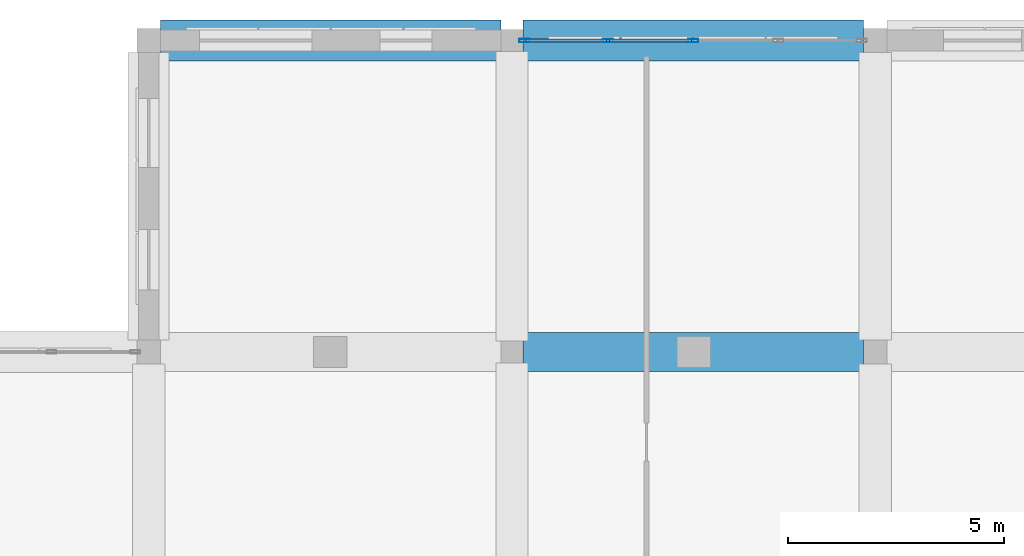
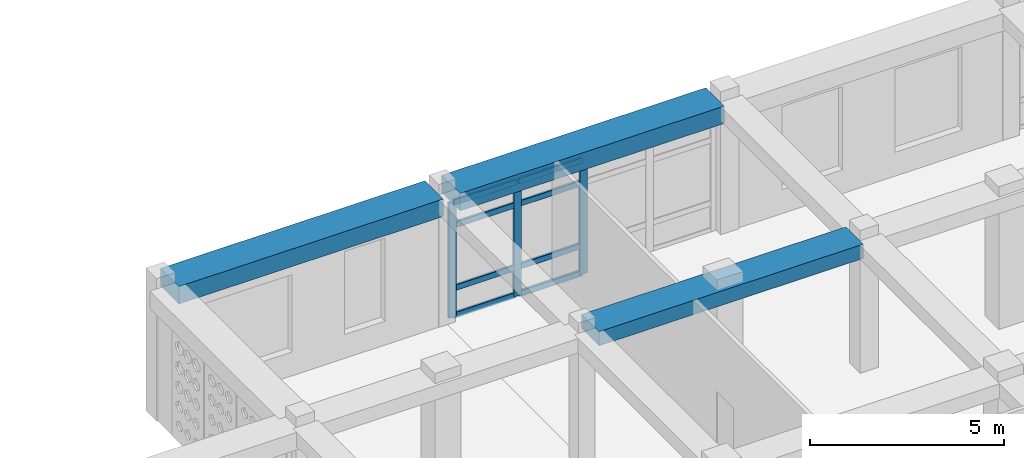
# One storey, part 44 of 121: 11 members, 3 beams, 1 element without a shape of its own.
"""IFC4 building model written with IfcOpenShell, lengths in metres."""

from ifc_helpers import new_model, si_unit, derived_unit, direction, frame, origin, origin_2d, place, context, subcontext, project, spatial, rectangle, hollow_rectangle, extrude, material, material_profile, profile_set, type_object, element, aggregate, save


model = new_model("IFC4")

# Units and contexts
model_context = context("Model", 3, precision=1e-05, world=origin(), true_north=direction((0.0, 1.0)))
body_context = subcontext(model_context, "Body", "Model", "MODEL_VIEW")
ifc_project = project(units=[si_unit("LENGTHUNIT", "METRE"), si_unit("AREAUNIT", "SQUARE_METRE"), si_unit("VOLUMEUNIT", "CUBIC_METRE"), si_unit("PLANEANGLEUNIT", "RADIAN"), si_unit("MASSUNIT", "GRAM", prefix="KILO"), derived_unit("THERMALTRANSMITTANCEUNIT", [(si_unit("POWERUNIT", "WATT"), 1), (si_unit("LENGTHUNIT", "METRE"), -2), (si_unit("THERMODYNAMICTEMPERATUREUNIT", "KELVIN"), -1)])], contexts=[model_context])

# Site, building, storey
site_placement = place(None, origin())
site = spatial("IfcSite", under=ifc_project, at=site_placement, CompositionType="ELEMENT")
building_placement = place(site_placement, origin())
building = spatial("IfcBuilding", under=site, at=building_placement, Name="Veybourne Emporium", CompositionType="ELEMENT")
storey_placement = place(building_placement, frame((0.0, 0.0, 5.39990234375)))
storey = spatial("IfcBuildingStorey", under=building, at=storey_placement, Name="L01", CompositionType="ELEMENT", Elevation=5.39990234375)

# Curtain wall, members
ifc_material_1 = material(Name="Patinated Architectural Bronze", Category="bronze")
curtain_wall_type = type_object("IfcCurtainWallType", Name="CWSystem_CWS-11", PredefinedType="NOTDEFINED", material=ifc_material_1)
curtain_wall_placement = place(storey_placement, origin())
curtain_wall = element("IfcCurtainWall", 1, at=curtain_wall_placement, inside=storey, type_object=curtain_wall_type, Name="L01 bronze glazed curtain wall CWS-11 (036)", PredefinedType="NOTDEFINED")
ifc_material_profile_1 = material_profile(ifc_material_1, hollow_rectangle(XDim=0.077880859375, YDim=0.235107421875, WallThickness=0.0048828125, InnerFilletRadius=0.007568359375, OuterFilletRadius=0.012451171875, at=origin_2d()), Name="CWM 78x235x5")
ifc_profile_set_1 = profile_set([ifc_material_profile_1], Name="Patinated Architectural Bronze")
member_type_1 = type_object("IfcMemberType", Name="CWMullion_CW-M3", PredefinedType="MULLION", material=ifc_profile_set_1)
member_1_placement = place(storey_placement, frame((59.089111328125, 115.199951171875, 0.0), z_axis=(0.0, 0.0, 1.0), x_axis=(0.0, 1.0, 0.0)))
member_1 = element("IfcMember", 2, at=member_1_placement, type_object=member_type_1, Name="CWS-11 mullion 1", PredefinedType="MULLION", context=body_context, shape_type="SweptSolid", body=[
    extrude(hollow_rectangle(XDim=0.077880859375, YDim=0.235107421875, WallThickness=0.0048828125, InnerFilletRadius=0.007568359375, OuterFilletRadius=0.012451171875, at=origin_2d()), origin(), (0.0, 0.0, 1.0), 3.630126953125),
])
member_2_placement = place(storey_placement, frame((61.018798828125, 115.199951171875, 0.0), z_axis=(0.0, 0.0, 1.0), x_axis=(0.0, 1.0, 0.0)))
member_2 = element("IfcMember", 3, at=member_2_placement, type_object=member_type_1, Name="CWS-11 mullion 2", PredefinedType="MULLION", context=body_context, shape_type="SweptSolid", body=[
    extrude(hollow_rectangle(XDim=0.077880859375, YDim=0.235107421875, WallThickness=0.0048828125, InnerFilletRadius=0.007568359375, OuterFilletRadius=0.012451171875, at=origin_2d()), origin(), (0.0, 0.0, 1.0), 3.630126953125),
])
member_3_placement = place(storey_placement, frame((62.987548828125, 115.199951171875, 0.0), z_axis=(0.0, 0.0, 1.0), x_axis=(0.0, 1.0, 0.0)))
member_3 = element("IfcMember", 4, at=member_3_placement, type_object=member_type_1, Name="CWS-11 mullion 3", PredefinedType="MULLION", context=body_context, shape_type="SweptSolid", body=[
    extrude(hollow_rectangle(XDim=0.077880859375, YDim=0.235107421875, WallThickness=0.0048828125, InnerFilletRadius=0.007568359375, OuterFilletRadius=0.012451171875, at=origin_2d()), origin(), (0.0, 0.0, 1.0), 3.630126953125),
])
ifc_material_profile_2 = material_profile(ifc_material_1, hollow_rectangle(XDim=0.077880859375, YDim=0.18505859375, WallThickness=0.0048828125, InnerFilletRadius=0.007568359375, OuterFilletRadius=0.012451171875, at=origin_2d()), Name="CWT 78x185x5")
ifc_profile_set_2 = profile_set([ifc_material_profile_2], Name="Patinated Architectural Bronze")
member_type_2 = type_object("IfcMemberType", Name="CWTransom_CW-T3", PredefinedType="NOTDEFINED", material=ifc_profile_set_2)
member_4_placement = place(storey_placement, frame((59.1279296875, 115.199951171875, 0.0390625), z_axis=(1.0, 0.0, 0.0), x_axis=(0.0, 1.0, 0.0)))
member_4 = element("IfcMember", 5, at=member_4_placement, type_object=member_type_2, Name="CWS-11 transom 1.1", ObjectType="TRANSOM", PredefinedType="USERDEFINED", context=body_context, shape_type="SweptSolid", body=[
    extrude(hollow_rectangle(XDim=0.077880859375, YDim=0.18505859375, WallThickness=0.0048828125, InnerFilletRadius=0.007568359375, OuterFilletRadius=0.012451171875, at=origin_2d()), origin(), (0.0, 0.0, 1.0), 1.851806640625),
])
member_5_placement = place(storey_placement, frame((59.1279296875, 115.199951171875, 0.900146484375), z_axis=(1.0, 0.0, 0.0), x_axis=(0.0, 1.0, 0.0)))
member_5 = element("IfcMember", 6, at=member_5_placement, type_object=member_type_2, Name="CWS-11 transom 1.2", ObjectType="TRANSOM", PredefinedType="USERDEFINED", context=body_context, shape_type="SweptSolid", body=[
    extrude(hollow_rectangle(XDim=0.077880859375, YDim=0.18505859375, WallThickness=0.0048828125, InnerFilletRadius=0.007568359375, OuterFilletRadius=0.012451171875, at=origin_2d()), origin(), (0.0, 0.0, 1.0), 1.851806640625),
])
member_6_placement = place(storey_placement, frame((59.1279296875, 115.199951171875, 2.880126953125), z_axis=(1.0, 0.0, 0.0), x_axis=(0.0, 1.0, 0.0)))
member_6 = element("IfcMember", 7, at=member_6_placement, type_object=member_type_2, Name="CWS-11 transom 1.3", ObjectType="TRANSOM", PredefinedType="USERDEFINED", context=body_context, shape_type="SweptSolid", body=[
    extrude(hollow_rectangle(XDim=0.077880859375, YDim=0.18505859375, WallThickness=0.0048828125, InnerFilletRadius=0.007568359375, OuterFilletRadius=0.012451171875, at=origin_2d()), origin(), (0.0, 0.0, 1.0), 1.851806640625),
])
member_7_placement = place(storey_placement, frame((59.1279296875, 115.199951171875, 3.591064453125), z_axis=(1.0, 0.0, 0.0), x_axis=(0.0, 1.0, 0.0)))
member_7 = element("IfcMember", 8, at=member_7_placement, type_object=member_type_2, Name="CWS-11 transom 1.4", ObjectType="TRANSOM", PredefinedType="USERDEFINED", context=body_context, shape_type="SweptSolid", body=[
    extrude(hollow_rectangle(XDim=0.077880859375, YDim=0.18505859375, WallThickness=0.0048828125, InnerFilletRadius=0.007568359375, OuterFilletRadius=0.012451171875, at=origin_2d()), origin(), (0.0, 0.0, 1.0), 1.851806640625),
])
member_8_placement = place(storey_placement, frame((61.057861328125, 115.199951171875, 0.0390625), z_axis=(1.0, 0.0, 0.0), x_axis=(0.0, 1.0, 0.0)))
member_8 = element("IfcMember", 9, at=member_8_placement, type_object=member_type_2, Name="CWS-11 transom 2.1", ObjectType="TRANSOM", PredefinedType="USERDEFINED", context=body_context, shape_type="SweptSolid", body=[
    extrude(hollow_rectangle(XDim=0.077880859375, YDim=0.18505859375, WallThickness=0.0048828125, InnerFilletRadius=0.007568359375, OuterFilletRadius=0.012451171875, at=origin_2d()), origin(), (0.0, 0.0, 1.0), 1.890625),
])
member_9_placement = place(storey_placement, frame((61.057861328125, 115.199951171875, 0.900146484375), z_axis=(1.0, 0.0, 0.0), x_axis=(0.0, 1.0, 0.0)))
member_9 = element("IfcMember", 10, at=member_9_placement, type_object=member_type_2, Name="CWS-11 transom 2.2", ObjectType="TRANSOM", PredefinedType="USERDEFINED", context=body_context, shape_type="SweptSolid", body=[
    extrude(hollow_rectangle(XDim=0.077880859375, YDim=0.18505859375, WallThickness=0.0048828125, InnerFilletRadius=0.007568359375, OuterFilletRadius=0.012451171875, at=origin_2d()), origin(), (0.0, 0.0, 1.0), 1.890625),
])
member_10_placement = place(storey_placement, frame((61.057861328125, 115.199951171875, 2.880126953125), z_axis=(1.0, 0.0, 0.0), x_axis=(0.0, 1.0, 0.0)))
member_10 = element("IfcMember", 11, at=member_10_placement, type_object=member_type_2, Name="CWS-11 transom 2.3", ObjectType="TRANSOM", PredefinedType="USERDEFINED", context=body_context, shape_type="SweptSolid", body=[
    extrude(hollow_rectangle(XDim=0.077880859375, YDim=0.18505859375, WallThickness=0.0048828125, InnerFilletRadius=0.007568359375, OuterFilletRadius=0.012451171875, at=origin_2d()), origin(), (0.0, 0.0, 1.0), 1.890625),
])
member_11_placement = place(storey_placement, frame((61.057861328125, 115.199951171875, 3.591064453125), z_axis=(1.0, 0.0, 0.0), x_axis=(0.0, 1.0, 0.0)))
member_11 = element("IfcMember", 12, at=member_11_placement, type_object=member_type_2, Name="CWS-11 transom 2.4", ObjectType="TRANSOM", PredefinedType="USERDEFINED", context=body_context, shape_type="SweptSolid", body=[
    extrude(hollow_rectangle(XDim=0.077880859375, YDim=0.18505859375, WallThickness=0.0048828125, InnerFilletRadius=0.007568359375, OuterFilletRadius=0.012451171875, at=origin_2d()), origin(), (0.0, 0.0, 1.0), 1.890625),
])
aggregate(curtain_wall, [member_1, member_2, member_3, member_4, member_5, member_6, member_7, member_8, member_9, member_10, member_11])

# Beams
ifc_material_2 = material(Name="Concrete C32/40", Category="concrete")
ifc_material_profile_3 = material_profile(ifc_material_2, rectangle(XDim=0.89990234375, YDim=0.449951171875, at=origin_2d()), Name="RC 900x450")
ifc_profile_set_3 = profile_set([ifc_material_profile_3], Name="Concrete C32/40")
beam_type_1 = type_object("IfcBeamType", Name="RCBeam_BB-03", PredefinedType="BEAM", material=ifc_profile_set_3)
beam_placement = place(storey_placement, frame((59.050048828125, 108.0, 3.955078125), z_axis=(1.0, 0.0, 0.0), x_axis=(0.0, 1.0, 0.0)))
element("IfcBeam", 13, at=beam_placement, inside=storey, type_object=beam_type_1, Name="L01 X-grid beam BB-03 (7,15)", PredefinedType="BEAM", context=body_context, shape_type="SweptSolid", body=[
    extrude(rectangle(XDim=0.89990234375, YDim=0.449951171875, at=origin_2d()), origin(), (0.0, 0.0, 1.0), 7.875),
])
ifc_material_profile_4 = material_profile(ifc_material_2, rectangle(XDim=0.949951171875, YDim=0.550048828125, at=origin_2d()), Name="RC 950x550")
ifc_profile_set_4 = profile_set([ifc_material_profile_4], Name="Concrete C32/40")
beam_type_2 = type_object("IfcBeamType", Name="RCBeam_EB-01", PredefinedType="SPANDREL", material=ifc_profile_set_4)
for number, where, z_axis, x_axis, name in (
    (14, (50.675048828125, 115.199951171875, 3.905029296875), (1.0, 0.0, 0.0), (0.0, 1.0, 0.0), "L01 X-grid beam EB-01 (6,16)"),
    (15, (59.050048828125, 115.199951171875, 3.905029296875), (1.0, 0.0, 0.0), (0.0, 1.0, 0.0), "L01 X-grid beam EB-01 (7,16)"),
):
    element("IfcBeam", number, at=place(storey_placement, frame(where, z_axis=z_axis, x_axis=x_axis)), inside=storey, type_object=beam_type_2, Name=name, PredefinedType="SPANDREL", context=body_context, shape_type="SweptSolid", body=[
        extrude(rectangle(XDim=0.949951171875, YDim=0.550048828125, at=origin_2d()), origin(), (0.0, 0.0, 1.0), 7.875),
    ])

save(model, "model.ifc")
